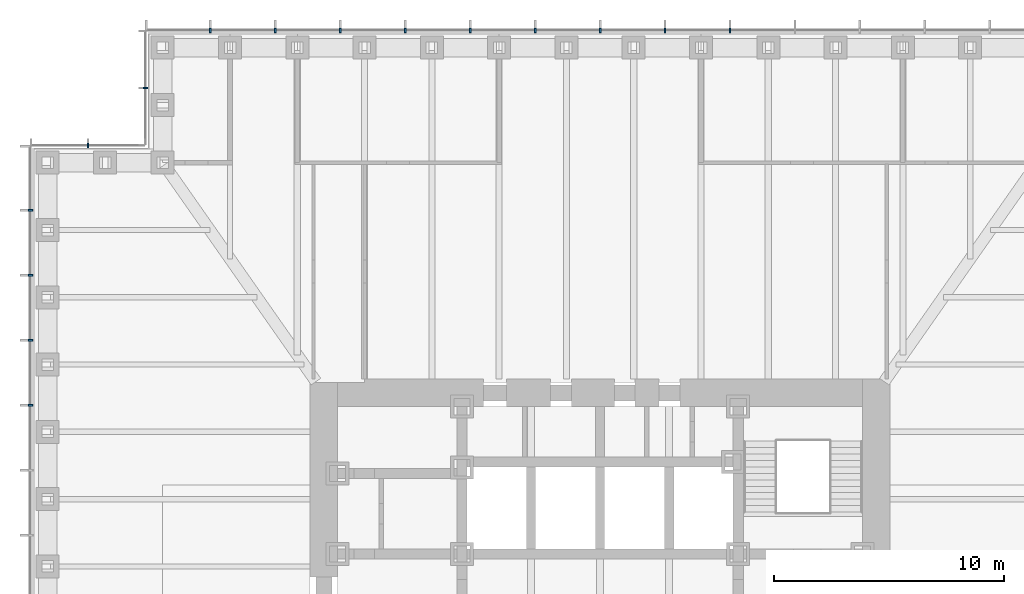
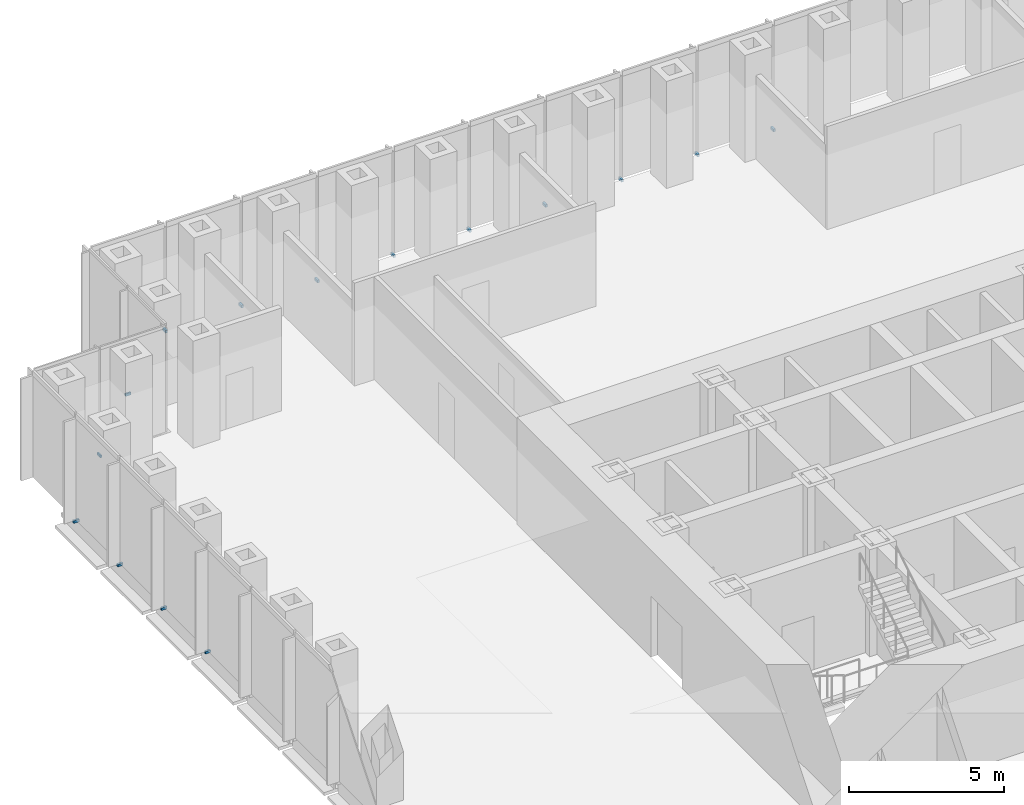
# One storey, part 14 of 16: 15 discrete accessories.
"""IFC4 building model written with IfcOpenShell, lengths in metres."""

from ifc_helpers import new_model, si_unit, direction, frame, origin, origin_2d, place, context, subcontext, project, spatial, rectangle, extrude, element, save


model = new_model("IFC4")

# Units and contexts
model_context = context("Model", 3, precision=1e-05, world=origin(), true_north=direction((0.0, 1.0)))
body_context = subcontext(model_context, "Body", "Model", "MODEL_VIEW")
ifc_project = project(units=[si_unit("LENGTHUNIT", "METRE"), si_unit("AREAUNIT", "SQUARE_METRE"), si_unit("VOLUMEUNIT", "CUBIC_METRE"), si_unit("PLANEANGLEUNIT", "RADIAN"), si_unit("MASSUNIT", "GRAM", prefix="KILO")], contexts=[model_context])

# Site, building, storey
site_placement = place(None, origin())
site = spatial("IfcSite", under=ifc_project, at=site_placement, CompositionType="ELEMENT")
building_placement = place(site_placement, origin())
building = spatial("IfcBuilding", under=site, at=building_placement, Name="Daluyong Arena Tower", CompositionType="ELEMENT")
storey_placement = place(building_placement, frame((0.0, 0.0, 51.699951171875)))
storey = spatial("IfcBuildingStorey", under=building, at=storey_placement, Name="L10", CompositionType="ELEMENT", Elevation=51.699951171875)

# Discrete accessories
for number, where, z_axis, x_axis, name in (
    (1, (61.642822265625, 104.75, -0.10009765625), (0.0, 0.0, 1.0), (-1.0, 0.0, 0.0), "curtain wall L10 N anchor bracket 6"),
    (2, (58.821533203125, 104.75, -0.10009765625), (0.0, 0.0, 1.0), (-1.0, 0.0, 0.0), "curtain wall L10 N anchor bracket 7"),
    (3, (56.0, 104.75, -0.10009765625), (0.0, 0.0, 1.0), (-1.0, 0.0, 0.0), "curtain wall L10 N anchor bracket 8"),
    (4, (53.178466796875, 104.75, -0.10009765625), (0.0, 0.0, 1.0), (-1.0, 0.0, 0.0), "curtain wall L10 N anchor bracket 9"),
    (5, (50.357177734375, 104.75, -0.10009765625), (0.0, 0.0, 1.0), (-1.0, 0.0, 0.0), "curtain wall L10 N anchor bracket 10"),
    (6, (47.53564453125, 104.75, -0.10009765625), (0.0, 0.0, 1.0), (-1.0, 0.0, 0.0), "curtain wall L10 N anchor bracket 11"),
    (7, (44.71435546875, 104.75, -0.10009765625), (0.0, 0.0, 1.0), (-1.0, 0.0, 0.0), "curtain wall L10 N anchor bracket 12"),
    (8, (41.892822265625, 104.75, -0.10009765625), (0.0, 0.0, 1.0), (-1.0, 0.0, 0.0), "curtain wall L10 N anchor bracket 13"),
    (9, (39.071533203125, 104.75, -0.10009765625), (0.0, 0.0, 1.0), (-1.0, 0.0, 0.0), "curtain wall L10 N anchor bracket 14"),
):
    element("IfcDiscreteAccessory", number, at=place(storey_placement, frame(where, z_axis=z_axis, x_axis=x_axis)), inside=storey, Name=name, PredefinedType="BRACKET", context=body_context, shape_type="SweptSolid", body=[
        extrude(rectangle(XDim=0.080078125, YDim=0.199951171875, at=origin_2d()), origin(), (0.0, 0.0, 1.0), 0.10009765625),
    ])
for number, where, z_axis, x_axis, name in (
    (10, (36.25, 102.25, -0.10009765625), (0.0, 0.0, 1.0), (0.0, -1.0, 0.0), "curtain wall L10 NW-W anchor bracket 2"),
    (11, (33.75, 99.75, -0.10009765625), (0.0, 0.0, 1.0), (-1.0, 0.0, 0.0), "curtain wall L10 NW-N anchor bracket 2"),
):
    element("IfcDiscreteAccessory", number, at=place(storey_placement, frame(where, z_axis=z_axis, x_axis=x_axis)), inside=storey, Name=name, PredefinedType="BRACKET", context=body_context, shape_type="SweptSolid", body=[
        extrude(rectangle(XDim=0.06005859375, YDim=0.199951171875, at=origin_2d()), origin(), (0.0, 0.0, 1.0), 0.10009765625),
    ])
for number, where, z_axis, x_axis, name in (
    (12, (31.25, 96.928466796875, -0.10009765625), (0.0, 0.0, 1.0), (0.0, -1.0, 0.0), "curtain wall L10 W anchor bracket 2"),
    (13, (31.25, 94.107177734375, -0.10009765625), (0.0, 0.0, 1.0), (0.0, -1.0, 0.0), "curtain wall L10 W anchor bracket 3"),
    (14, (31.25, 91.28564453125, -0.10009765625), (0.0, 0.0, 1.0), (0.0, -1.0, 0.0), "curtain wall L10 W anchor bracket 4"),
    (15, (31.25, 88.46435546875, -0.10009765625), (0.0, 0.0, 1.0), (0.0, -1.0, 0.0), "curtain wall L10 W anchor bracket 5"),
):
    element("IfcDiscreteAccessory", number, at=place(storey_placement, frame(where, z_axis=z_axis, x_axis=x_axis)), inside=storey, Name=name, PredefinedType="BRACKET", context=body_context, shape_type="SweptSolid", body=[
        extrude(rectangle(XDim=0.080078125, YDim=0.199951171875, at=origin_2d()), origin(), (0.0, 0.0, 1.0), 0.10009765625),
    ])

save(model, "model.ifc")
